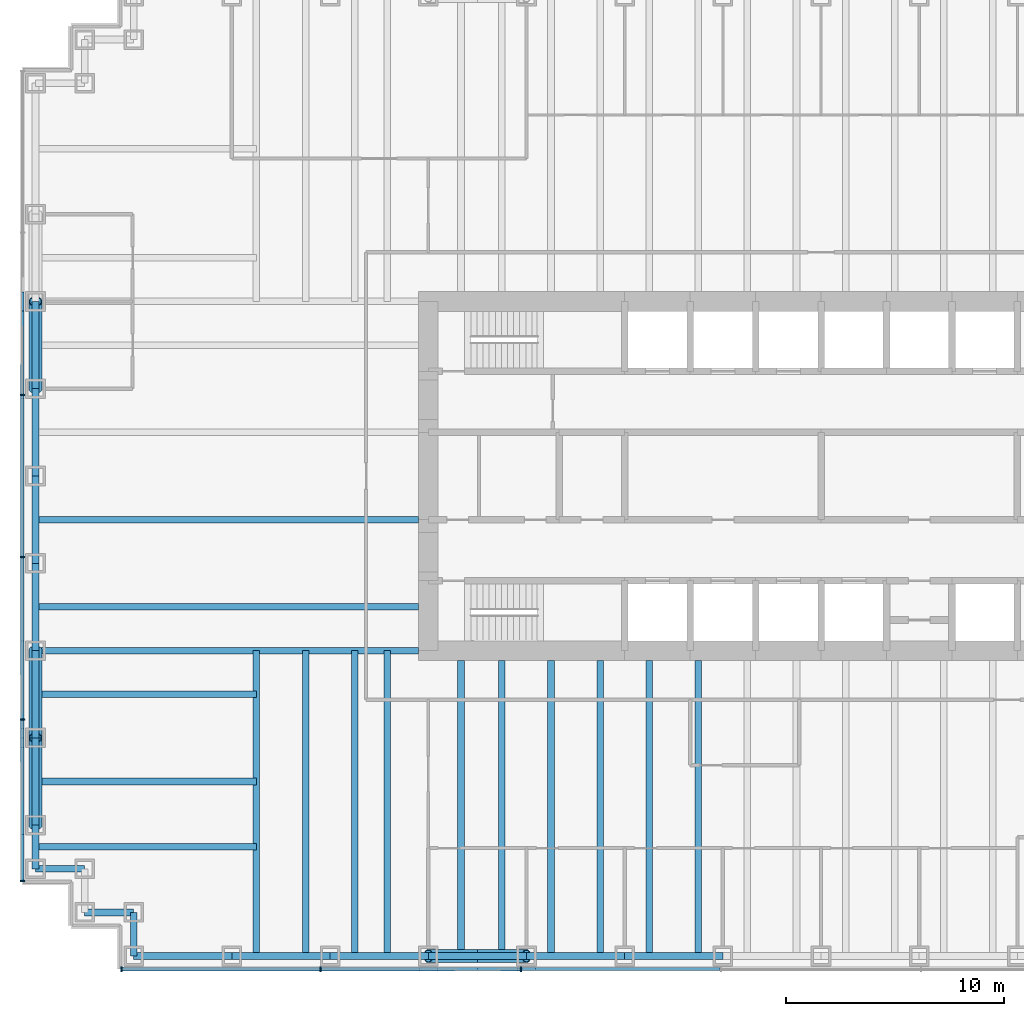
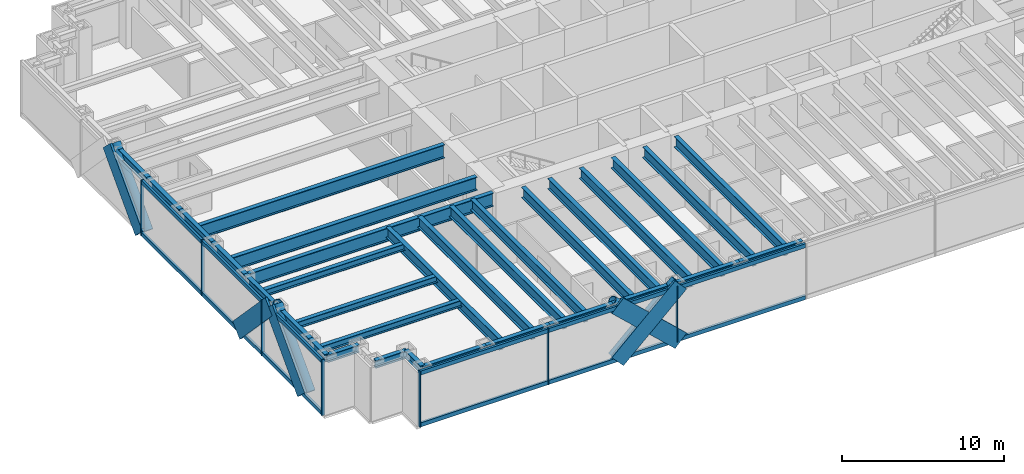
# One storey, part 2 of 15: 32 beams, 29 members, 2 elements without a shape of their own.
"""IFC4 building model written with IfcOpenShell, lengths in metres."""

from ifc_helpers import new_model, si_unit, direction, frame, origin, origin_2d, place, context, subcontext, project, spatial, rectangle, hollow_circle, i_section, extrude, material, material_profile, profile_set, type_object, element, aggregate, save


model = new_model("IFC4")

# Units and contexts
model_context = context("Model", 3, precision=1e-05, world=origin(), true_north=direction((0.0, 1.0)))
body_context = subcontext(model_context, "Body", "Model", "MODEL_VIEW")
ifc_project = project(units=[si_unit("LENGTHUNIT", "METRE"), si_unit("AREAUNIT", "SQUARE_METRE"), si_unit("VOLUMEUNIT", "CUBIC_METRE"), si_unit("PLANEANGLEUNIT", "RADIAN"), si_unit("MASSUNIT", "GRAM", prefix="KILO")], contexts=[model_context])

# Site, building, storey
site_placement = place(None, origin())
site = spatial("IfcSite", under=ifc_project, at=site_placement, CompositionType="ELEMENT")
building_placement = place(site_placement, origin())
building = spatial("IfcBuilding", under=site, at=building_placement, Name="Rheinbord Bourse Tower", CompositionType="ELEMENT")
storey_placement = place(building_placement, frame((0.0, 0.0, 108.89990234375)))
storey = spatial("IfcBuildingStorey", under=building, at=storey_placement, Name="L23", CompositionType="ELEMENT", Elevation=108.89990234375)

# Curtain wall, members
ifc_material_1 = material(Name="Dark glass and black aluminium", Category="aluminium")
curtain_wall_type = type_object("IfcCurtainWallType", Name="CW2 DARK GLASS CURTAIN WALL", PredefinedType="USERDEFINED", material=ifc_material_1)
curtain_wall_1_placement = place(storey_placement, origin())
curtain_wall_1 = element("IfcCurtainWall", 1, at=curtain_wall_1_placement, inside=storey, type_object=curtain_wall_type, Name="Curtain wall CW2 S L23", ObjectType="UNITISED CURTAIN WALL", PredefinedType="USERDEFINED")
ifc_material_2 = material(Name="Black anodised aluminium", Category="aluminium")
ifc_material_profile_1 = material_profile(ifc_material_2, rectangle(XDim=0.159912109375, YDim=1.2099609375, at=origin_2d()), Name="CW2 DIAGONAL MULLION 1210x160")
ifc_profile_set_1 = profile_set([ifc_material_profile_1], Name="Black anodised aluminium")
member_type_1 = type_object("IfcMemberType", Name="CW2 BLACK DIAGONAL MULLION", PredefinedType="USERDEFINED", material=ifc_profile_set_1)
member_1_placement = place(storey_placement, frame((22.5, 1.39990234375, 0.0), z_axis=(-0.731039441158, 0.0, 0.682335207557), x_axis=(0.0, -1.0, 0.0)))
member_1 = element("IfcMember", 2, at=member_1_placement, type_object=member_type_1, Name="CW2 diagonal mullion a", ObjectType="DIAGONAL MULLION", PredefinedType="USERDEFINED", context=body_context, shape_type="SweptSolid", body=[
    extrude(rectangle(XDim=0.159912109375, YDim=1.2099609375, at=origin_2d()), origin(), (0.0, 0.0, 1.0), 6.155517578125),
])
member_2_placement = place(storey_placement, frame((18.0, 1.39990234375, 0.0), z_axis=(0.731039441158, 0.0, 0.682335207557), x_axis=(0.0, 1.0, 0.0)))
member_2 = element("IfcMember", 3, at=member_2_placement, type_object=member_type_1, Name="CW2 diagonal mullion c", ObjectType="DIAGONAL MULLION", PredefinedType="USERDEFINED", context=body_context, shape_type="SweptSolid", body=[
    extrude(rectangle(XDim=0.159912109375, YDim=1.2099609375, at=origin_2d()), origin(), (0.0, 0.0, 1.0), 6.155517578125),
])

curtain_wall_2_placement = place(storey_placement, origin())
curtain_wall_2 = element("IfcCurtainWall", 4, at=curtain_wall_2_placement, inside=storey, type_object=curtain_wall_type, Name="Curtain wall CW2 W L23", ObjectType="UNITISED CURTAIN WALL", PredefinedType="USERDEFINED")
member_3_placement = place(storey_placement, frame((-0.60009765625, 28.0, 0.0), z_axis=(0.0, 0.689638355374, 0.72415394689), x_axis=(-1.0, 0.0, 0.0)))
member_3 = element("IfcMember", 5, at=member_3_placement, type_object=member_type_1, Name="CW2 diagonal mullion a", ObjectType="DIAGONAL MULLION", PredefinedType="USERDEFINED", context=body_context, shape_type="SweptSolid", body=[
    extrude(rectangle(XDim=0.159912109375, YDim=1.2099609375, at=origin_2d()), origin(), (0.0, 0.0, 1.0), 5.800048828125),
])
member_4_placement = place(storey_placement, frame((-0.60009765625, 16.0, 0.0), z_axis=(0.0, -0.689638355374, 0.72415394689), x_axis=(1.0, 0.0, 0.0)))
member_4 = element("IfcMember", 6, at=member_4_placement, type_object=member_type_1, Name="CW2 diagonal mullion b", ObjectType="DIAGONAL MULLION", PredefinedType="USERDEFINED", context=body_context, shape_type="SweptSolid", body=[
    extrude(rectangle(XDim=0.159912109375, YDim=1.2099609375, at=origin_2d()), origin(), (0.0, 0.0, 1.0), 5.800048828125),
])
member_5_placement = place(storey_placement, frame((-0.60009765625, 8.0, 0.0), z_axis=(0.0, 0.689638355374, 0.72415394689), x_axis=(-1.0, 0.0, 0.0)))
member_5 = element("IfcMember", 7, at=member_5_placement, type_object=member_type_1, Name="CW2 diagonal mullion d", ObjectType="DIAGONAL MULLION", PredefinedType="USERDEFINED", context=body_context, shape_type="SweptSolid", body=[
    extrude(rectangle(XDim=0.159912109375, YDim=1.2099609375, at=origin_2d()), origin(), (0.0, 0.0, 1.0), 5.800048828125),
])

# Member
ifc_material_3 = material(Name="Black anodised aluminium", Category="aluminium")
ifc_material_profile_2 = material_profile(ifc_material_3, rectangle(XDim=0.219970703125, YDim=0.070068359375, at=origin_2d()), Name="CW2 MULLION 70x220")
ifc_profile_set_2 = profile_set([ifc_material_profile_2], Name="Black anodised aluminium")
member_type_2 = type_object("IfcMemberType", Name="CW2 BLACK MULLION", PredefinedType="MULLION", material=ifc_profile_set_2)
member_6_placement = place(storey_placement, frame((3.93505859375, 1.39990234375, 0.0), z_axis=(0.0, 0.0, 1.0), x_axis=(0.0, 1.0, 0.0)))
member_6 = element("IfcMember", 8, at=member_6_placement, type_object=member_type_2, Name="CW2 mullion 1", PredefinedType="MULLION", context=body_context, shape_type="SweptSolid", body=[
    extrude(rectangle(XDim=0.219970703125, YDim=0.070068359375, at=origin_2d()), origin(), (0.0, 0.0, 1.0), 4.2001953125),
])

member_7_placement = place(storey_placement, frame((13.071533203125, 1.39990234375, 0.0), z_axis=(0.0, 0.0, 1.0), x_axis=(0.0, 1.0, 0.0)))
member_7 = element("IfcMember", 9, at=member_7_placement, type_object=member_type_2, Name="CW2 mullion 2", PredefinedType="MULLION", context=body_context, shape_type="SweptSolid", body=[
    extrude(rectangle(XDim=0.219970703125, YDim=0.070068359375, at=origin_2d()), origin(), (0.0, 0.0, 1.0), 4.2001953125),
])

member_8_placement = place(storey_placement, frame((22.242919921875, 1.39990234375, 0.0), z_axis=(0.0, 0.0, 1.0), x_axis=(0.0, 1.0, 0.0)))
member_8 = element("IfcMember", 10, at=member_8_placement, type_object=member_type_2, Name="CW2 mullion 3", PredefinedType="MULLION", context=body_context, shape_type="SweptSolid", body=[
    extrude(rectangle(XDim=0.219970703125, YDim=0.070068359375, at=origin_2d()), origin(), (0.0, 0.0, 1.0), 4.2001953125),
])

member_9_placement = place(storey_placement, frame((-0.60009765625, 27.719970703125, 0.0), z_axis=(0.0, 0.0, 1.0), x_axis=(1.0, 0.0, 0.0)))
member_9 = element("IfcMember", 11, at=member_9_placement, type_object=member_type_2, Name="CW2 mullion 3", PredefinedType="MULLION", context=body_context, shape_type="SweptSolid", body=[
    extrude(rectangle(XDim=0.219970703125, YDim=0.070068359375, at=origin_2d()), origin(), (0.0, 0.0, 1.0), 4.2001953125),
])

member_10_placement = place(storey_placement, frame((-0.60009765625, 20.280029296875, 0.0), z_axis=(0.0, 0.0, 1.0), x_axis=(1.0, 0.0, 0.0)))
member_10 = element("IfcMember", 12, at=member_10_placement, type_object=member_type_2, Name="CW2 mullion 4", PredefinedType="MULLION", context=body_context, shape_type="SweptSolid", body=[
    extrude(rectangle(XDim=0.219970703125, YDim=0.070068359375, at=origin_2d()), origin(), (0.0, 0.0, 1.0), 4.2001953125),
])

member_11_placement = place(storey_placement, frame((-0.60009765625, 12.840087890625, 0.0), z_axis=(0.0, 0.0, 1.0), x_axis=(1.0, 0.0, 0.0)))
member_11 = element("IfcMember", 13, at=member_11_placement, type_object=member_type_2, Name="CW2 mullion 5", PredefinedType="MULLION", context=body_context, shape_type="SweptSolid", body=[
    extrude(rectangle(XDim=0.219970703125, YDim=0.070068359375, at=origin_2d()), origin(), (0.0, 0.0, 1.0), 4.2001953125),
])

member_12_placement = place(storey_placement, frame((-0.60009765625, 5.43505859375, 0.0), z_axis=(0.0, 0.0, 1.0), x_axis=(1.0, 0.0, 0.0)))
member_12 = element("IfcMember", 14, at=member_12_placement, type_object=member_type_2, Name="CW2 mullion 6", PredefinedType="MULLION", context=body_context, shape_type="SweptSolid", body=[
    extrude(rectangle(XDim=0.219970703125, YDim=0.070068359375, at=origin_2d()), origin(), (0.0, 0.0, 1.0), 4.2001953125),
])

ifc_material_4 = material(Name="Black anodised aluminium", Category="aluminium")
ifc_material_profile_3 = material_profile(ifc_material_4, rectangle(XDim=0.159912109375, YDim=0.300048828125, at=origin_2d()), Name="CW2 TRANSOM 300x160")
ifc_profile_set_3 = profile_set([ifc_material_profile_3], Name="Black anodised aluminium")
member_type_3 = type_object("IfcMemberType", Name="CW2 BLACK TRANSOM", PredefinedType="USERDEFINED", material=ifc_profile_set_3)
member_13_placement = place(storey_placement, frame((3.969970703125, 1.39990234375, 0.150146484375), z_axis=(1.0, 0.0, 0.0), x_axis=(0.0, 1.0, 0.0)))
member_13 = element("IfcMember", 15, at=member_13_placement, type_object=member_type_3, Name="CW2 transom 1.1", ObjectType="TRANSOM", PredefinedType="USERDEFINED", context=body_context, shape_type="SweptSolid", body=[
    extrude(rectangle(XDim=0.159912109375, YDim=0.300048828125, at=origin_2d()), origin(), (0.0, 0.0, 1.0), 9.06640625),
])

member_14_placement = place(storey_placement, frame((3.969970703125, 1.39990234375, 4.050048828125), z_axis=(1.0, 0.0, 0.0), x_axis=(0.0, 1.0, 0.0)))
member_14 = element("IfcMember", 16, at=member_14_placement, type_object=member_type_3, Name="CW2 transom 1.2", ObjectType="TRANSOM", PredefinedType="USERDEFINED", context=body_context, shape_type="SweptSolid", body=[
    extrude(rectangle(XDim=0.159912109375, YDim=0.300048828125, at=origin_2d()), origin(), (0.0, 0.0, 1.0), 9.06640625),
])

member_15_placement = place(storey_placement, frame((13.1064453125, 1.39990234375, 0.150146484375), z_axis=(1.0, 0.0, 0.0), x_axis=(0.0, 1.0, 0.0)))
member_15 = element("IfcMember", 17, at=member_15_placement, type_object=member_type_3, Name="CW2 transom 2.1", ObjectType="TRANSOM", PredefinedType="USERDEFINED", context=body_context, shape_type="SweptSolid", body=[
    extrude(rectangle(XDim=0.159912109375, YDim=0.300048828125, at=origin_2d()), origin(), (0.0, 0.0, 1.0), 9.101318359375),
])

member_16_placement = place(storey_placement, frame((13.1064453125, 1.39990234375, 4.050048828125), z_axis=(1.0, 0.0, 0.0), x_axis=(0.0, 1.0, 0.0)))
member_16 = element("IfcMember", 18, at=member_16_placement, type_object=member_type_3, Name="CW2 transom 2.2", ObjectType="TRANSOM", PredefinedType="USERDEFINED", context=body_context, shape_type="SweptSolid", body=[
    extrude(rectangle(XDim=0.159912109375, YDim=0.300048828125, at=origin_2d()), origin(), (0.0, 0.0, 1.0), 9.101318359375),
])

member_17_placement = place(storey_placement, frame((22.27783203125, 1.39990234375, 0.150146484375), z_axis=(1.0, 0.0, 0.0), x_axis=(0.0, 1.0, 0.0)))
member_17 = element("IfcMember", 19, at=member_17_placement, type_object=member_type_3, Name="CW2 transom 3.1", ObjectType="TRANSOM", PredefinedType="USERDEFINED", context=body_context, shape_type="SweptSolid", body=[
    extrude(rectangle(XDim=0.159912109375, YDim=0.300048828125, at=origin_2d()), origin(), (0.0, 0.0, 1.0), 9.1015625),
])

member_18_placement = place(storey_placement, frame((22.27783203125, 1.39990234375, 4.050048828125), z_axis=(1.0, 0.0, 0.0), x_axis=(0.0, 1.0, 0.0)))
member_18 = element("IfcMember", 20, at=member_18_placement, type_object=member_type_3, Name="CW2 transom 3.2", ObjectType="TRANSOM", PredefinedType="USERDEFINED", context=body_context, shape_type="SweptSolid", body=[
    extrude(rectangle(XDim=0.159912109375, YDim=0.300048828125, at=origin_2d()), origin(), (0.0, 0.0, 1.0), 9.1015625),
])

aggregate(curtain_wall_1, [member_6, member_7, member_8, member_13, member_14, member_15, member_16, member_17, member_18, member_1, member_2])

member_19_placement = place(storey_placement, frame((-0.60009765625, 27.68505859375, 0.150146484375), z_axis=(0.0, -1.0, 0.0), x_axis=(1.0, 0.0, 0.0)))
member_19 = element("IfcMember", 21, at=member_19_placement, type_object=member_type_3, Name="CW2 transom 3.1", ObjectType="TRANSOM", PredefinedType="USERDEFINED", context=body_context, shape_type="SweptSolid", body=[
    extrude(rectangle(XDim=0.159912109375, YDim=0.300048828125, at=origin_2d()), origin(), (0.0, 0.0, 1.0), 7.3701171875),
])

member_20_placement = place(storey_placement, frame((-0.60009765625, 27.68505859375, 4.050048828125), z_axis=(0.0, -1.0, 0.0), x_axis=(1.0, 0.0, 0.0)))
member_20 = element("IfcMember", 22, at=member_20_placement, type_object=member_type_3, Name="CW2 transom 3.2", ObjectType="TRANSOM", PredefinedType="USERDEFINED", context=body_context, shape_type="SweptSolid", body=[
    extrude(rectangle(XDim=0.159912109375, YDim=0.300048828125, at=origin_2d()), origin(), (0.0, 0.0, 1.0), 7.3701171875),
])

member_21_placement = place(storey_placement, frame((-0.60009765625, 20.2451171875, 0.150146484375), z_axis=(0.0, -1.0, 0.0), x_axis=(1.0, 0.0, 0.0)))
member_21 = element("IfcMember", 23, at=member_21_placement, type_object=member_type_3, Name="CW2 transom 4.1", ObjectType="TRANSOM", PredefinedType="USERDEFINED", context=body_context, shape_type="SweptSolid", body=[
    extrude(rectangle(XDim=0.159912109375, YDim=0.300048828125, at=origin_2d()), origin(), (0.0, 0.0, 1.0), 7.3701171875),
])

member_22_placement = place(storey_placement, frame((-0.60009765625, 20.2451171875, 4.050048828125), z_axis=(0.0, -1.0, 0.0), x_axis=(1.0, 0.0, 0.0)))
member_22 = element("IfcMember", 24, at=member_22_placement, type_object=member_type_3, Name="CW2 transom 4.2", ObjectType="TRANSOM", PredefinedType="USERDEFINED", context=body_context, shape_type="SweptSolid", body=[
    extrude(rectangle(XDim=0.159912109375, YDim=0.300048828125, at=origin_2d()), origin(), (0.0, 0.0, 1.0), 7.3701171875),
])

member_23_placement = place(storey_placement, frame((-0.60009765625, 12.804931640625, 0.150146484375), z_axis=(0.0, -1.0, 0.0), x_axis=(1.0, 0.0, 0.0)))
member_23 = element("IfcMember", 25, at=member_23_placement, type_object=member_type_3, Name="CW2 transom 5.1", ObjectType="TRANSOM", PredefinedType="USERDEFINED", context=body_context, shape_type="SweptSolid", body=[
    extrude(rectangle(XDim=0.159912109375, YDim=0.300048828125, at=origin_2d()), origin(), (0.0, 0.0, 1.0), 7.3349609375),
])

member_24_placement = place(storey_placement, frame((-0.60009765625, 12.804931640625, 4.050048828125), z_axis=(0.0, -1.0, 0.0), x_axis=(1.0, 0.0, 0.0)))
member_24 = element("IfcMember", 26, at=member_24_placement, type_object=member_type_3, Name="CW2 transom 5.2", ObjectType="TRANSOM", PredefinedType="USERDEFINED", context=body_context, shape_type="SweptSolid", body=[
    extrude(rectangle(XDim=0.159912109375, YDim=0.300048828125, at=origin_2d()), origin(), (0.0, 0.0, 1.0), 7.3349609375),
])

aggregate(curtain_wall_2, [member_9, member_10, member_11, member_12, member_19, member_20, member_21, member_22, member_23, member_24, member_3, member_4, member_5])

# Beams
ifc_material_5 = material(Name="Steel S460", Category="steel")
ifc_material_profile_4 = material_profile(ifc_material_5, i_section(OverallWidth=0.302001953125, OverallDepth=1.008056640625, WebThickness=0.02099609375, FlangeThickness=0.0400390625, at=origin_2d()), Name="HEM 1000")
ifc_profile_set_4 = profile_set([ifc_material_profile_4], Name="Steel S460")
beam_type_1 = type_object("IfcBeamType", Name="END BEAM HEM 1000", PredefinedType="BEAM", material=ifc_profile_set_4)
for number, where, z_axis, x_axis, name in (
    (27, (0.0, 18.0, 3.5361328125), (1.0, 0.0, 0.0), (0.0, 1.0, 0.0), "End beam west 18 L24"),
    (28, (0.0, 22.0, 3.5361328125), (1.0, 0.0, 0.0), (0.0, 1.0, 0.0), "End beam west 22 L24"),
):
    element("IfcBeam", number, at=place(storey_placement, frame(where, z_axis=z_axis, x_axis=x_axis)), inside=storey, type_object=beam_type_1, Name=name, PredefinedType="BEAM", context=body_context, shape_type="SweptSolid", body=[
        extrude(i_section(OverallWidth=0.302001953125, OverallDepth=1.008056640625, WebThickness=0.02099609375, FlangeThickness=0.0400390625, at=origin_2d()), origin(), (0.0, 0.0, 1.0), 17.550048828125),
    ])
ifc_material_6 = material(Name="Steel S460", Category="steel")
ifc_material_profile_5 = material_profile(ifc_material_6, i_section(OverallWidth=0.300048828125, OverallDepth=0.800048828125, WebThickness=0.017578125, FlangeThickness=0.032958984375, at=origin_2d()), Name="HEB 800")
ifc_profile_set_5 = profile_set([ifc_material_profile_5], Name="Steel S460")
beam_type_2 = type_object("IfcBeamType", Name="FLOOR BEAM HEB 800", PredefinedType="BEAM", material=ifc_profile_set_5)
for number, where, z_axis, x_axis, name in (
    (29, (10.125, 2.0, 3.64013671875), (0.0, 1.0, 0.0), (-1.0, 0.0, 0.0), "Floor beam S-9a L24"),
    (30, (12.375, 2.0, 3.64013671875), (0.0, 1.0, 0.0), (-1.0, 0.0, 0.0), "Floor beam S-9b L24"),
    (31, (14.625, 2.0, 3.64013671875), (0.0, 1.0, 0.0), (-1.0, 0.0, 0.0), "Floor beam S-13.5a L24"),
    (32, (16.125, 2.0, 3.64013671875), (0.0, 1.0, 0.0), (-1.0, 0.0, 0.0), "Floor beam S-13.5b L24"),
):
    element("IfcBeam", number, at=place(storey_placement, frame(where, z_axis=z_axis, x_axis=x_axis)), inside=storey, type_object=beam_type_2, Name=name, PredefinedType="BEAM", context=body_context, shape_type="SweptSolid", body=[
        extrude(i_section(OverallWidth=0.300048828125, OverallDepth=0.800048828125, WebThickness=0.017578125, FlangeThickness=0.032958984375, at=origin_2d()), origin(), (0.0, 0.0, 1.0), 14.0),
    ])
for number, where, z_axis, x_axis, name in (
    (33, (19.5, 2.0, 3.64013671875), (0.0, 1.0, 0.0), (-1.0, 0.0, 0.0), "Floor beam S-18a L24"),
    (34, (21.375, 2.0, 3.64013671875), (0.0, 1.0, 0.0), (-1.0, 0.0, 0.0), "Floor beam S-18b L24"),
    (35, (23.625, 2.0, 3.64013671875), (0.0, 1.0, 0.0), (-1.0, 0.0, 0.0), "Floor beam S-22.5a L24"),
    (36, (25.875, 2.0, 3.64013671875), (0.0, 1.0, 0.0), (-1.0, 0.0, 0.0), "Floor beam S-22.5b L24"),
    (37, (28.125, 2.0, 3.64013671875), (0.0, 1.0, 0.0), (-1.0, 0.0, 0.0), "Floor beam S-27a L24"),
    (38, (30.375, 2.0, 3.64013671875), (0.0, 1.0, 0.0), (-1.0, 0.0, 0.0), "Floor beam S-27b L24"),
):
    element("IfcBeam", number, at=place(storey_placement, frame(where, z_axis=z_axis, x_axis=x_axis)), inside=storey, type_object=beam_type_2, Name=name, PredefinedType="BEAM", context=body_context, shape_type="SweptSolid", body=[
        extrude(i_section(OverallWidth=0.300048828125, OverallDepth=0.800048828125, WebThickness=0.017578125, FlangeThickness=0.032958984375, at=origin_2d()), origin(), (0.0, 0.0, 1.0), 13.550048828125),
    ])
ifc_material_7 = material(Name="Steel S460", Category="steel")
ifc_material_profile_6 = material_profile(ifc_material_7, i_section(OverallWidth=0.302001953125, OverallDepth=1.008056640625, WebThickness=0.02099609375, FlangeThickness=0.0400390625, at=origin_2d()), Name="HEM 1000")
ifc_profile_set_6 = profile_set([ifc_material_profile_6], Name="Steel S460")
beam_type_3 = type_object("IfcBeamType", Name="GIRDER HEM 1000", PredefinedType="BEAM", material=ifc_profile_set_6)
beam_1_placement = place(storey_placement, frame((0.0, 16.0, 3.5361328125), z_axis=(1.0, 0.0, 0.0), x_axis=(0.0, 1.0, 0.0)))
element("IfcBeam", 39, at=beam_1_placement, inside=storey, type_object=beam_type_3, Name="Girder west 16 L24", PredefinedType="BEAM", context=body_context, shape_type="SweptSolid", body=[
    extrude(i_section(OverallWidth=0.302001953125, OverallDepth=1.008056640625, WebThickness=0.02099609375, FlangeThickness=0.0400390625, at=origin_2d()), origin(), (0.0, 0.0, 1.0), 17.550048828125),
])

# Members
ifc_material_8 = material(Name="Steel S460", Category="steel")
ifc_material_profile_7 = material_profile(ifc_material_8, hollow_circle(Radius=0.304931640625, WallThickness=0.0400390625, at=origin_2d()), Name="CHS 610x40")
ifc_profile_set_7 = profile_set([ifc_material_profile_7], Name="Steel S460")
member_type_4 = type_object("IfcMemberType", Name="MEGABRACE CHS 610x40", PredefinedType="BRACE", material=ifc_profile_set_7)
for number, where, z_axis, x_axis, name in (
    (40, (22.5, 2.0, 0.0), (-0.731039441158, 0.0, 0.682335207557), (0.0, -1.0, 0.0), "Megabrace S face line a L23"),
    (41, (18.0, 2.0, 0.0), (0.731039441158, 0.0, 0.682335207557), (0.0, 1.0, 0.0), "Megabrace S face line c L23"),
):
    element("IfcMember", number, at=place(storey_placement, frame(where, z_axis=z_axis, x_axis=x_axis)), inside=storey, type_object=member_type_4, Name=name, PredefinedType="BRACE", context=body_context, shape_type="SweptSolid", body=[
        extrude(hollow_circle(Radius=0.304931640625, WallThickness=0.0400390625, at=origin_2d()), origin(), (0.0, 0.0, 1.0), 6.155517578125),
    ])
for number, where, z_axis, x_axis, name in (
    (42, (0.0, 28.0, 0.0), (0.0, 0.689638355374, 0.72415394689), (-1.0, 0.0, 0.0), "Megabrace W face line a L23"),
    (43, (0.0, 16.0, 0.0), (0.0, -0.689638355374, 0.72415394689), (1.0, 0.0, 0.0), "Megabrace W face line b L23"),
    (44, (0.0, 8.0, 0.0), (0.0, 0.689638355374, 0.72415394689), (-1.0, 0.0, 0.0), "Megabrace W face line d L23"),
):
    element("IfcMember", number, at=place(storey_placement, frame(where, z_axis=z_axis, x_axis=x_axis)), inside=storey, type_object=member_type_4, Name=name, PredefinedType="BRACE", context=body_context, shape_type="SweptSolid", body=[
        extrude(hollow_circle(Radius=0.304931640625, WallThickness=0.0400390625, at=origin_2d()), origin(), (0.0, 0.0, 1.0), 5.800048828125),
    ])

# Beams
ifc_material_9 = material(Name="Steel S460", Category="steel")
ifc_material_profile_8 = material_profile(ifc_material_9, i_section(OverallWidth=0.305908203125, OverallDepth=0.572021484375, WebThickness=0.02099609375, FlangeThickness=0.0400390625, at=origin_2d()), Name="HEM 550")
ifc_profile_set_8 = profile_set([ifc_material_profile_8], Name="Steel S460")
beam_type_4 = type_object("IfcBeamType", Name="SPANDREL HEM 550", PredefinedType="SPANDREL", material=ifc_profile_set_8)
for number, where, z_axis, x_axis, name in (
    (45, (4.5, 2.0, 3.754150390625), (1.0, 0.0, 0.0), (0.0, 1.0, 0.0), "Spandrel SW-E-S-9 under L24"),
    (46, (9.0, 2.0, 3.754150390625), (1.0, 0.0, 0.0), (0.0, 1.0, 0.0), "Spandrel S-9-S-13.5 under L24"),
    (47, (13.5, 2.0, 3.754150390625), (1.0, 0.0, 0.0), (0.0, 1.0, 0.0), "Spandrel S-13.5-S-18 under L24"),
    (48, (18.0, 2.0, 3.754150390625), (1.0, 0.0, 0.0), (0.0, 1.0, 0.0), "Spandrel S-18-S-22.5 under L24"),
    (49, (22.5, 2.0, 3.754150390625), (1.0, 0.0, 0.0), (0.0, 1.0, 0.0), "Spandrel S-22.5-S-27 under L24"),
    (50, (27.0, 2.0, 3.754150390625), (1.0, 0.0, 0.0), (0.0, 1.0, 0.0), "Spandrel S-27-S-31.5 under L24"),
):
    element("IfcBeam", number, at=place(storey_placement, frame(where, z_axis=z_axis, x_axis=x_axis)), inside=storey, type_object=beam_type_4, Name=name, PredefinedType="SPANDREL", context=body_context, shape_type="SweptSolid", body=[
        extrude(i_section(OverallWidth=0.305908203125, OverallDepth=0.572021484375, WebThickness=0.02099609375, FlangeThickness=0.0400390625, at=origin_2d()), origin(), (0.0, 0.0, 1.0), 4.5),
    ])
for number, where, z_axis, x_axis, name in (
    (51, (0.0, 32.0, 3.754150390625), (0.0, -1.0, 0.0), (1.0, 0.0, 0.0), "Spandrel W-32-W-28 under L24"),
    (52, (0.0, 28.0, 3.754150390625), (0.0, -1.0, 0.0), (1.0, 0.0, 0.0), "Spandrel W-28-W-24 under L24"),
    (53, (0.0, 24.0, 3.754150390625), (0.0, -1.0, 0.0), (1.0, 0.0, 0.0), "Spandrel W-24-W-20 under L24"),
    (54, (0.0, 20.0, 3.754150390625), (0.0, -1.0, 0.0), (1.0, 0.0, 0.0), "Spandrel W-20-W-16 under L24"),
    (55, (0.0, 16.0, 3.754150390625), (0.0, -1.0, 0.0), (1.0, 0.0, 0.0), "Spandrel W-16-W-12 under L24"),
    (56, (0.0, 12.0, 3.754150390625), (0.0, -1.0, 0.0), (1.0, 0.0, 0.0), "Spandrel W-12-W-8 under L24"),
):
    element("IfcBeam", number, at=place(storey_placement, frame(where, z_axis=z_axis, x_axis=x_axis)), inside=storey, type_object=beam_type_4, Name=name, PredefinedType="SPANDREL", context=body_context, shape_type="SweptSolid", body=[
        extrude(i_section(OverallWidth=0.305908203125, OverallDepth=0.572021484375, WebThickness=0.02099609375, FlangeThickness=0.0400390625, at=origin_2d()), origin(), (0.0, 0.0, 1.0), 4.0),
    ])
beam_2_placement = place(storey_placement, frame((0.0, 8.0, 3.754150390625), z_axis=(0.0, -1.0, 0.0), x_axis=(1.0, 0.0, 0.0)))
element("IfcBeam", 57, at=beam_2_placement, inside=storey, type_object=beam_type_4, Name="Spandrel W-8-SW-A under L24", PredefinedType="SPANDREL", context=body_context, shape_type="SweptSolid", body=[
    extrude(i_section(OverallWidth=0.305908203125, OverallDepth=0.572021484375, WebThickness=0.02099609375, FlangeThickness=0.0400390625, at=origin_2d()), origin(), (0.0, 0.0, 1.0), 2.0),
])
for number, where, z_axis, x_axis, name in (
    (58, (0.0, 6.0, 3.754150390625), (1.0, 0.0, 0.0), (0.0, 1.0, 0.0), "Spandrel SW-A-SW-B under L24"),
    (59, (2.25, 4.0, 3.754150390625), (1.0, 0.0, 0.0), (0.0, 1.0, 0.0), "Spandrel SW-C-SW-D under L24"),
):
    element("IfcBeam", number, at=place(storey_placement, frame(where, z_axis=z_axis, x_axis=x_axis)), inside=storey, type_object=beam_type_4, Name=name, PredefinedType="SPANDREL", context=body_context, shape_type="SweptSolid", body=[
        extrude(i_section(OverallWidth=0.305908203125, OverallDepth=0.572021484375, WebThickness=0.02099609375, FlangeThickness=0.0400390625, at=origin_2d()), origin(), (0.0, 0.0, 1.0), 2.25),
    ])
beam_3_placement = place(storey_placement, frame((4.5, 4.0, 3.754150390625), z_axis=(0.0, -1.0, 0.0), x_axis=(1.0, 0.0, 0.0)))
element("IfcBeam", 60, at=beam_3_placement, inside=storey, type_object=beam_type_4, Name="Spandrel SW-D-SW-E under L24", PredefinedType="SPANDREL", context=body_context, shape_type="SweptSolid", body=[
    extrude(i_section(OverallWidth=0.305908203125, OverallDepth=0.572021484375, WebThickness=0.02099609375, FlangeThickness=0.0400390625, at=origin_2d()), origin(), (0.0, 0.0, 1.0), 2.0),
])
ifc_material_10 = material(Name="Steel S460", Category="steel")
ifc_material_profile_9 = material_profile(ifc_material_10, i_section(OverallWidth=0.300048828125, OverallDepth=0.5, WebThickness=0.014404296875, FlangeThickness=0.028076171875, at=origin_2d()), Name="HEB 500")
ifc_profile_set_9 = profile_set([ifc_material_profile_9], Name="Steel S460")
beam_type_5 = type_object("IfcBeamType", Name="TIE BEAM HEB 500", PredefinedType="JOIST", material=ifc_profile_set_9)
for number, where, z_axis, x_axis, name in (
    (61, (0.0, 7.0, 3.7900390625), (1.0, 0.0, 0.0), (0.0, 1.0, 0.0), "Tie west 7 L24"),
    (62, (0.0, 10.0, 3.7900390625), (1.0, 0.0, 0.0), (0.0, 1.0, 0.0), "Tie west 10 L24"),
    (63, (0.0, 14.0, 3.7900390625), (1.0, 0.0, 0.0), (0.0, 1.0, 0.0), "Tie west 14 L24"),
):
    element("IfcBeam", number, at=place(storey_placement, frame(where, z_axis=z_axis, x_axis=x_axis)), inside=storey, type_object=beam_type_5, Name=name, PredefinedType="JOIST", context=body_context, shape_type="SweptSolid", body=[
        extrude(i_section(OverallWidth=0.300048828125, OverallDepth=0.5, WebThickness=0.014404296875, FlangeThickness=0.028076171875, at=origin_2d()), origin(), (0.0, 0.0, 1.0), 10.125),
    ])

save(model, "model.ifc")
